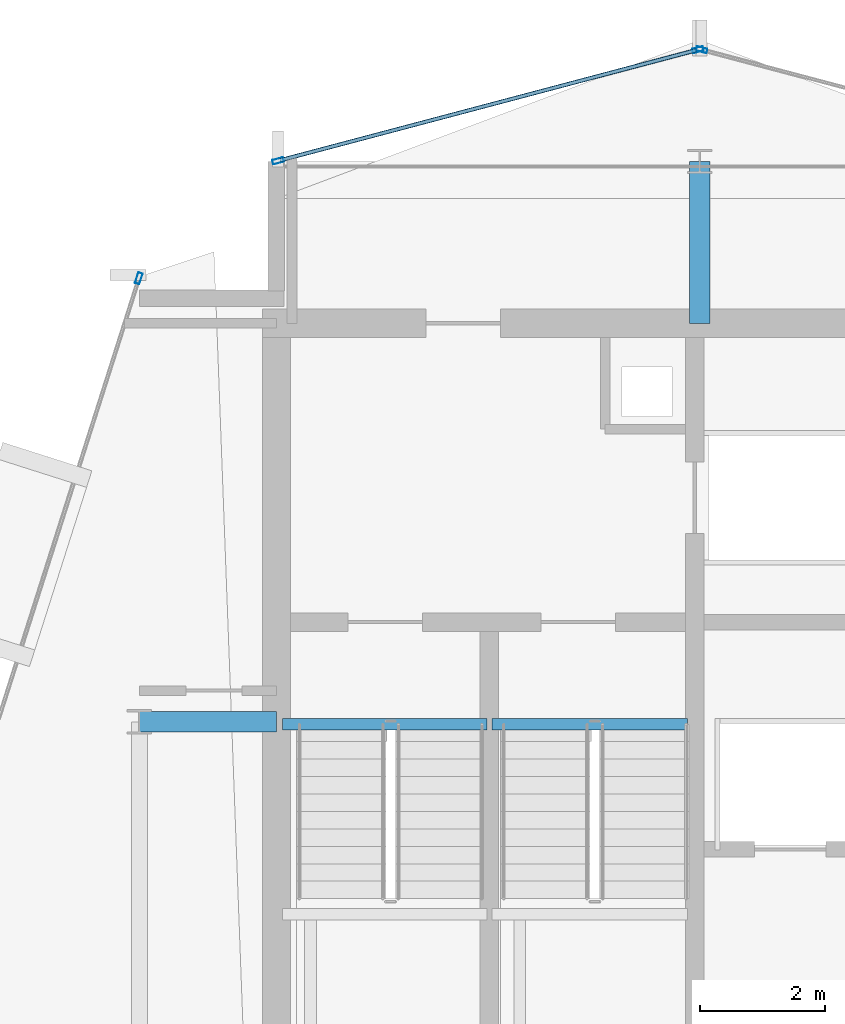
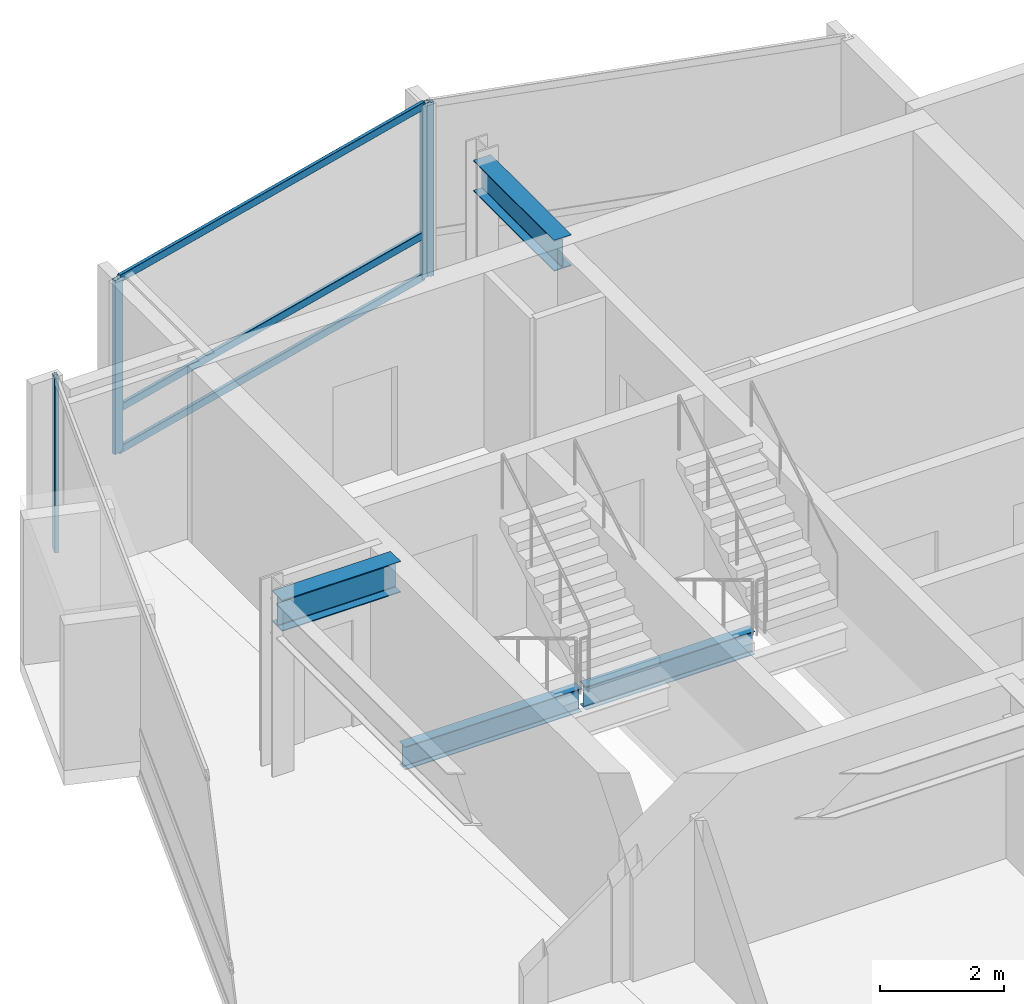
# One storey, part 11 of 19: 7 members, 4 beams, 3 elements without a shape of their own.
"""IFC4 building model written with IfcOpenShell, lengths in metres."""

from ifc_helpers import new_model, si_unit, direction, frame, origin, origin_2d, place, context, subcontext, project, spatial, hollow_rectangle, i_section, extrude, material, layer, layer_set, material_profile, profile_set, type_object, element, aggregate, save


model = new_model("IFC4")

# Units and contexts
model_context = context("Model", 3, precision=1e-05, world=origin(), true_north=direction((0.0, 1.0)))
body_context = subcontext(model_context, "Body", "Model", "MODEL_VIEW")
ifc_project = project(units=[si_unit("LENGTHUNIT", "METRE"), si_unit("AREAUNIT", "SQUARE_METRE"), si_unit("VOLUMEUNIT", "CUBIC_METRE"), si_unit("PLANEANGLEUNIT", "RADIAN"), si_unit("MASSUNIT", "GRAM", prefix="KILO")], contexts=[model_context])

# Site, building, storey
site_placement = place(None, origin())
site = spatial("IfcSite", under=ifc_project, at=site_placement, CompositionType="ELEMENT")
building_placement = place(site_placement, origin())
building = spatial("IfcBuilding", under=site, at=building_placement, Name="Solvaryn Broadcast Tower", CompositionType="ELEMENT")
storey_placement = place(building_placement, frame((0.0, 0.0, 259.300048828125)))
storey = spatial("IfcBuildingStorey", under=building, at=storey_placement, Name="L65", CompositionType="ELEMENT", Elevation=259.300048828125)

# Beams
ifc_material_1 = material(Name="Steel ASTM A992 Grade 50", Category="steel")
ifc_material_profile_1 = material_profile(ifc_material_1, i_section(OverallWidth=0.323974609375, OverallDepth=0.611083984375, WebThickness=0.0126953125, FlangeThickness=0.01904296875, FilletRadius=0.014892578125, at=origin_2d()))
ifc_profile_set_1 = profile_set([ifc_material_profile_1], Name="Steel ASTM A992 Grade 50")
beam_type_1 = type_object("IfcBeamType", Name="BM-B1-W24X104", PredefinedType="BEAM", material=ifc_profile_set_1)
beam_1_placement = place(storey_placement, frame((9.0, 36.0, 3.114501953125), z_axis=(1.0, 0.0, 0.0), x_axis=(0.0, 1.0, 0.0)))
element("IfcBeam", 1, at=beam_1_placement, inside=storey, type_object=beam_type_1, Name="L65 Core Tie Beam CTW1", PredefinedType="BEAM", context=body_context, shape_type="SweptSolid", body=[
    extrude(i_section(OverallWidth=0.323974609375, OverallDepth=0.611083984375, WebThickness=0.0126953125, FlangeThickness=0.01904296875, FilletRadius=0.014892578125, at=origin_2d()), origin(), (0.0, 0.0, 1.0), 2.199951171875),
])
beam_2_placement = place(storey_placement, frame((18.0, 42.39990234375, 3.114501953125), z_axis=(0.0, 1.0, 0.0), x_axis=(-1.0, 0.0, 0.0)))
element("IfcBeam", 2, at=beam_2_placement, inside=storey, type_object=beam_type_1, Name="L65 Core Tie Beam CTW3", PredefinedType="BEAM", context=body_context, shape_type="SweptSolid", body=[
    extrude(i_section(OverallWidth=0.323974609375, OverallDepth=0.611083984375, WebThickness=0.0126953125, FlangeThickness=0.01904296875, FilletRadius=0.014892578125, at=origin_2d()), origin(), (0.0, 0.0, 1.0), 2.60009765625),
])
ifc_material_2 = material(Name="Steel ASTM A992 Grade 50", Category="steel")
ifc_material_profile_2 = material_profile(ifc_material_2, i_section(OverallWidth=0.18994140625, OverallDepth=0.45703125, WebThickness=0.009033203125, FlangeThickness=0.014404296875, FilletRadius=0.011962890625, at=origin_2d()))
ifc_profile_set_2 = profile_set([ifc_material_profile_2], Name="Steel ASTM A992 Grade 50")
beam_type_2 = type_object("IfcBeamType", Name="BM-B4-W18X50", PredefinedType="BEAM", material=ifc_profile_set_2)
beam_3_placement = place(storey_placement, frame((11.300048828125, 35.9599609375, -0.508544921875), z_axis=(1.0, 0.0, 0.0), x_axis=(0.0, 1.0, 0.0)))
element("IfcBeam", 3, at=beam_3_placement, inside=storey, type_object=beam_type_2, Name="L65 ST1 Stair Well Trimmer Beam", PredefinedType="BEAM", context=body_context, shape_type="SweptSolid", body=[
    extrude(i_section(OverallWidth=0.18994140625, OverallDepth=0.45703125, WebThickness=0.009033203125, FlangeThickness=0.014404296875, FilletRadius=0.011962890625, at=origin_2d()), origin(), (0.0, 0.0, 1.0), 3.280029296875),
])
beam_4_placement = place(storey_placement, frame((14.659912109375, 35.9599609375, -0.508544921875), z_axis=(1.0, 0.0, 0.0), x_axis=(0.0, 1.0, 0.0)))
element("IfcBeam", 4, at=beam_4_placement, inside=storey, type_object=beam_type_2, Name="L65 ST2 Stair Well Trimmer Beam", PredefinedType="BEAM", context=body_context, shape_type="SweptSolid", body=[
    extrude(i_section(OverallWidth=0.18994140625, OverallDepth=0.45703125, WebThickness=0.009033203125, FlangeThickness=0.014404296875, FilletRadius=0.011962890625, at=origin_2d()), origin(), (0.0, 0.0, 1.0), 3.14013671875),
])

# Curtain wall, member
ifc_material_3 = material(Name="Aluminium and Terracotta Unitised Curtain Wall", Category="masonry")
ifc_layer = layer(ifc_material_3, 0.199951171875)
ifc_layer_set = layer_set([ifc_layer], Name="CW-SYS2-LOWMID")
curtain_wall_type = type_object("IfcCurtainWallType", Name="CW-SYS2-LOWMID", PredefinedType="NOTDEFINED", material=ifc_layer_set)
curtain_wall_1_placement = place(storey_placement, origin())
curtain_wall_1 = element("IfcCurtainWall", 5, at=curtain_wall_1_placement, inside=storey, type_object=curtain_wall_type, Name="L65 Curtain Wall DR1", PredefinedType="NOTDEFINED")
ifc_material_4 = material(Name="Anodised Aluminium 6063-T6", Category="aluminium")
ifc_material_profile_3 = material_profile(ifc_material_4, hollow_rectangle(XDim=0.074951171875, YDim=0.179931640625, WallThickness=0.00390625, InnerFilletRadius=0.00390625, OuterFilletRadius=0.008056640625, at=origin_2d()))
ifc_profile_set_3 = profile_set([ifc_material_profile_3], Name="Anodised Aluminium 6063-T6")
member_type_1 = type_object("IfcMemberType", Name="CW-MUL-180", PredefinedType="MULLION", material=ifc_profile_set_3)
member_1_placement = place(storey_placement, frame((8.990966796875, 43.120361328125, 0.0), z_axis=(0.0, 0.0, 1.0), x_axis=(0.952794594701, -0.30361564569, 0.0)))
member_1 = element("IfcMember", 6, at=member_1_placement, type_object=member_type_1, Name="CWS2 mullion 1", PredefinedType="MULLION", context=body_context, shape_type="SweptSolid", body=[
    extrude(hollow_rectangle(XDim=0.074951171875, YDim=0.179931640625, WallThickness=0.00390625, InnerFilletRadius=0.00390625, OuterFilletRadius=0.008056640625, at=origin_2d()), origin(), (0.0, 0.0, 1.0), 3.419921875),
])
aggregate(curtain_wall_1, [member_1])

curtain_wall_2_placement = place(storey_placement, origin())
curtain_wall_2 = element("IfcCurtainWall", 7, at=curtain_wall_2_placement, inside=storey, type_object=curtain_wall_type, Name="L65 Curtain Wall NT1", PredefinedType="NOTDEFINED")
member_2_placement = place(storey_placement, frame((18.029052734375, 46.792236328125, 0.0), z_axis=(0.0, 0.0, 1.0), x_axis=(-0.25589256031, -0.966705227863, 0.0)))
member_2 = element("IfcMember", 8, at=member_2_placement, type_object=member_type_1, Name="CWS2 mullion 2", PredefinedType="MULLION", context=body_context, shape_type="SweptSolid", body=[
    extrude(hollow_rectangle(XDim=0.074951171875, YDim=0.179931640625, WallThickness=0.00390625, InnerFilletRadius=0.00390625, OuterFilletRadius=0.008056640625, at=origin_2d()), origin(), (0.0, 0.0, 1.0), 3.419921875),
])
aggregate(curtain_wall_2, [member_2])

# Curtain wall, members
curtain_wall_3_placement = place(storey_placement, origin())
curtain_wall_3 = element("IfcCurtainWall", 9, at=curtain_wall_3_placement, inside=storey, type_object=curtain_wall_type, Name="L65 Curtain Wall NT2", PredefinedType="NOTDEFINED")
member_3_placement = place(storey_placement, frame((17.970947265625, 46.792236328125, 0.0), z_axis=(0.0, 0.0, 1.0), x_axis=(0.25589256031, -0.966705227863, 0.0)))
member_3 = element("IfcMember", 10, at=member_3_placement, type_object=member_type_1, Name="CWS2 mullion 1", PredefinedType="MULLION", context=body_context, shape_type="SweptSolid", body=[
    extrude(hollow_rectangle(XDim=0.074951171875, YDim=0.179931640625, WallThickness=0.00390625, InnerFilletRadius=0.00390625, OuterFilletRadius=0.008056640625, at=origin_2d()), origin(), (0.0, 0.0, 1.0), 3.419921875),
])
member_4_placement = place(storey_placement, frame((11.22900390625, 45.007568359375, 0.0), z_axis=(0.0, 0.0, 1.0), x_axis=(0.25589256031, -0.966705227863, 0.0)))
member_4 = element("IfcMember", 11, at=member_4_placement, type_object=member_type_1, Name="CWS2 mullion 2", PredefinedType="MULLION", context=body_context, shape_type="SweptSolid", body=[
    extrude(hollow_rectangle(XDim=0.074951171875, YDim=0.179931640625, WallThickness=0.00390625, InnerFilletRadius=0.00390625, OuterFilletRadius=0.008056640625, at=origin_2d()), origin(), (0.0, 0.0, 1.0), 3.419921875),
])
ifc_material_5 = material(Name="Anodised Aluminium 6063-T6", Category="aluminium")
ifc_material_profile_4 = material_profile(ifc_material_5, hollow_rectangle(XDim=0.06494140625, YDim=0.14990234375, WallThickness=0.00390625, InnerFilletRadius=0.00390625, OuterFilletRadius=0.008056640625, at=origin_2d()))
ifc_profile_set_4 = profile_set([ifc_material_profile_4], Name="Anodised Aluminium 6063-T6")
member_type_2 = type_object("IfcMemberType", Name="CW-TRN-150", PredefinedType="USERDEFINED", material=ifc_profile_set_4)
member_5_placement = place(storey_placement, frame((17.94189453125, 46.78466796875, 0.030029296875), z_axis=(-0.966703943301, -0.255897413051, 0.0), x_axis=(0.255897413051, -0.966703943301, 0.0)))
member_5 = element("IfcMember", 12, at=member_5_placement, type_object=member_type_2, Name="CWS2 transom 1.1", ObjectType="TRANSOM", PredefinedType="USERDEFINED", context=body_context, shape_type="SweptSolid", body=[
    extrude(hollow_rectangle(XDim=0.06494140625, YDim=0.14990234375, WallThickness=0.00390625, InnerFilletRadius=0.00390625, OuterFilletRadius=0.008056640625, at=origin_2d()), origin(), (0.0, 0.0, 1.0), 6.9140625),
])
member_6_placement = place(storey_placement, frame((17.94189453125, 46.78466796875, 0.849853515625), z_axis=(-0.966703943301, -0.255897413051, 0.0), x_axis=(0.255897413051, -0.966703943301, 0.0)))
member_6 = element("IfcMember", 13, at=member_6_placement, type_object=member_type_2, Name="CWS2 transom 1.2", ObjectType="TRANSOM", PredefinedType="USERDEFINED", context=body_context, shape_type="SweptSolid", body=[
    extrude(hollow_rectangle(XDim=0.06494140625, YDim=0.14990234375, WallThickness=0.00390625, InnerFilletRadius=0.00390625, OuterFilletRadius=0.008056640625, at=origin_2d()), origin(), (0.0, 0.0, 1.0), 6.9140625),
])
member_7_placement = place(storey_placement, frame((17.94189453125, 46.78466796875, 3.389892578125), z_axis=(-0.966703943301, -0.255897413051, 0.0), x_axis=(0.255897413051, -0.966703943301, 0.0)))
member_7 = element("IfcMember", 14, at=member_7_placement, type_object=member_type_2, Name="CWS2 transom 1.3", ObjectType="TRANSOM", PredefinedType="USERDEFINED", context=body_context, shape_type="SweptSolid", body=[
    extrude(hollow_rectangle(XDim=0.06494140625, YDim=0.14990234375, WallThickness=0.00390625, InnerFilletRadius=0.00390625, OuterFilletRadius=0.008056640625, at=origin_2d()), origin(), (0.0, 0.0, 1.0), 6.9140625),
])
aggregate(curtain_wall_3, [member_3, member_4, member_5, member_6, member_7])

save(model, "model.ifc")
